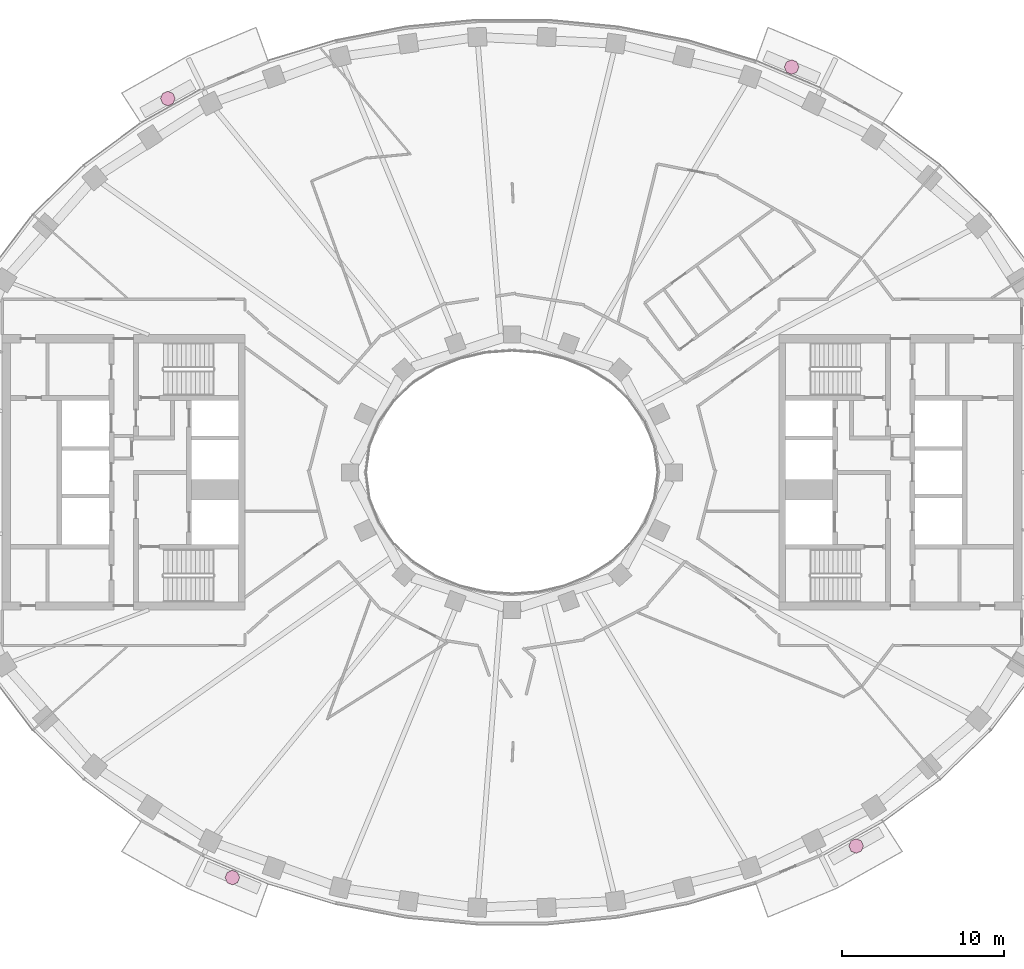
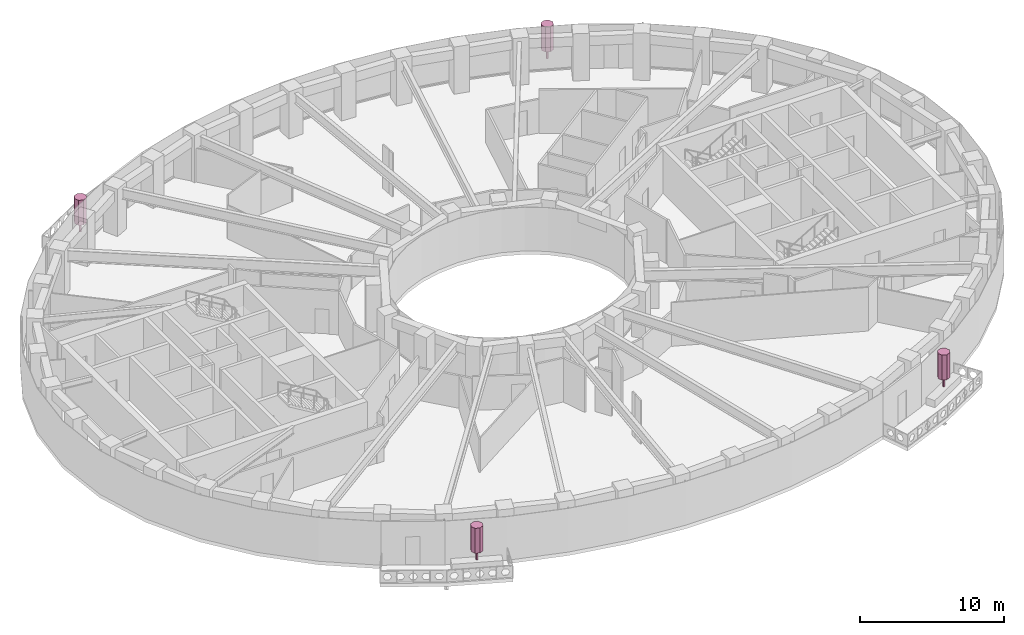
# One storey, part 15 of 15: 4 furnishings.
"""IFC4 building model written with IfcOpenShell, lengths in metres."""

from ifc_helpers import new_model, si_unit, direction, frame, origin, origin_2d, place, context, subcontext, project, spatial, polyline, rectangle, outline, extrude, material, type_object, element, save


model = new_model("IFC4")

# Units and contexts
model_context = context("Model", 3, precision=1e-05, world=origin(), true_north=direction((0.0, 1.0)))
body_context = subcontext(model_context, "Body", "Model", "MODEL_VIEW")
ifc_project = project(units=[si_unit("LENGTHUNIT", "METRE"), si_unit("AREAUNIT", "SQUARE_METRE"), si_unit("VOLUMEUNIT", "CUBIC_METRE"), si_unit("PLANEANGLEUNIT", "RADIAN"), si_unit("MASSUNIT", "GRAM", prefix="KILO")], contexts=[model_context])

# Site, building, storey
site_placement = place(None, origin())
site = spatial("IfcSite", under=ifc_project, at=site_placement, CompositionType="ELEMENT")
building_placement = place(site_placement, origin())
building = spatial("IfcBuilding", under=site, at=building_placement, Name="Noorbagh Ring Tower", CompositionType="ELEMENT")
storey_placement = place(building_placement, frame((0.0, 0.0, 194.0)))
storey = spatial("IfcBuildingStorey", under=building, at=storey_placement, Name="L45", CompositionType="ELEMENT", Elevation=194.0)

# Furnishings
ifc_material = material(Name="Planting foliage green")
furnishing_element_type = type_object("IfcFurnishingElementType", Name="ENV-TREE", material=ifc_material)
for number, where, z_axis, x_axis, name in (
    (1, (17.280517578125, 25.041259765625, 0.60009765625), (0.0, 0.0, 1.0), (1.0, 0.0, 0.0), "Tree BN02"),
    (2, (-21.26513671875, 23.093017578125, 0.60009765625), (0.0, 0.0, 1.0), (1.0, 0.0, 0.0), "Tree BN05"),
    (3, (-17.280517578125, -25.041259765625, 0.60009765625), (0.0, 0.0, 1.0), (1.0, 0.0, 0.0), "Tree BS02"),
    (4, (21.26513671875, -23.093017578125, 0.60009765625), (0.0, 0.0, 1.0), (1.0, 0.0, 0.0), "Tree BS05"),
):
    element("IfcFurnishingElement", number, at=place(storey_placement, frame(where, z_axis=z_axis, x_axis=x_axis)), inside=storey, type_object=furnishing_element_type, Name=name, context=body_context, shape_type="SweptSolid", body=[
        extrude(rectangle(XDim=0.1201171875, YDim=0.1201171875, at=origin_2d()), origin(), (0.0, 0.0, 1.0), 0.825927734375),
        extrude(outline(polyline([(0.449951171875, 0.0), (0.318115234375, 0.318115234375), (0.0, 0.449951171875), (-0.318115234375, 0.318115234375), (-0.449951171875, 0.0), (-0.318115234375, -0.318115234375), (0.0, -0.449951171875), (0.318115234375, -0.318115234375), (0.449951171875, 0.0)])), frame((0.0, 0.0, 0.825927734375)), (0.0, 0.0, 1.0), 2.1240234375),
    ])

save(model, "model.ifc")
